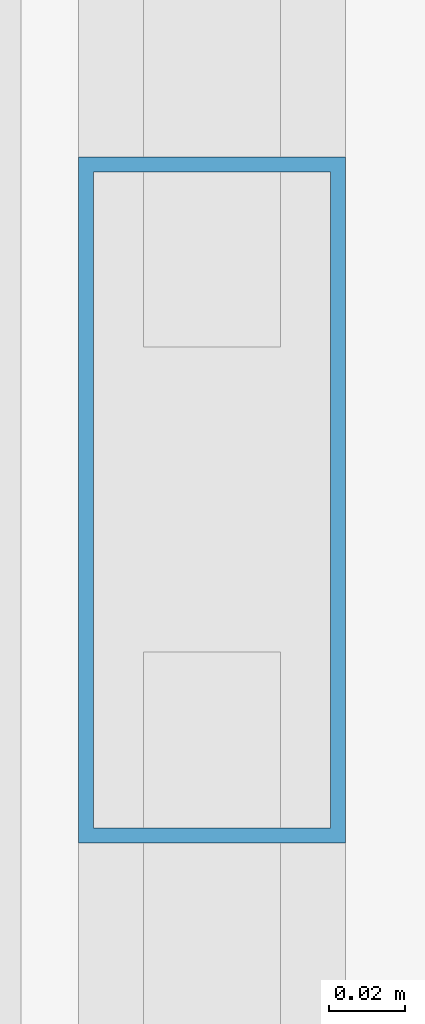
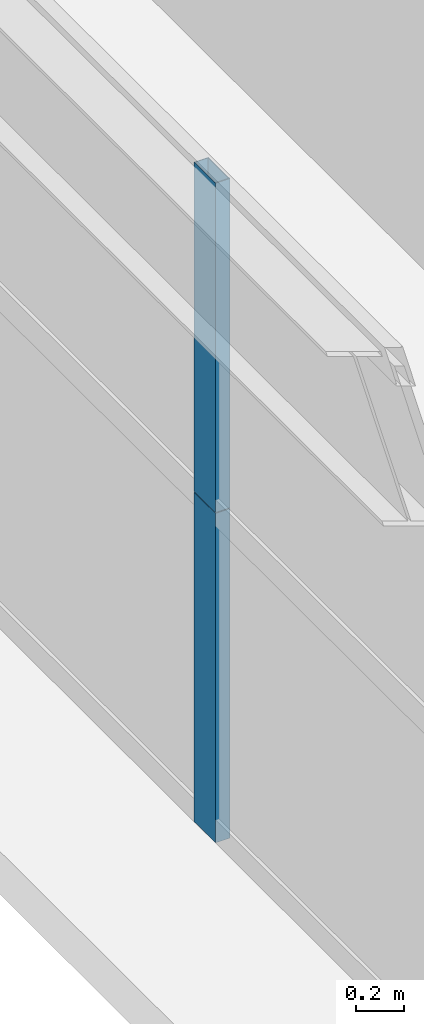
# One storey, part 23 of 45: 2 members, 1 element without a shape of its own.
"""IFC4 building model written with IfcOpenShell, lengths in metres."""

from ifc_helpers import new_model, si_unit, direction, frame, origin, origin_2d, place, context, subcontext, project, spatial, hollow_rectangle, extrude, source, transform, mapped, material, layer, layer_set, material_profile, profile_set, type_object, element, aggregate, save


model = new_model("IFC4")

# Units and contexts
model_context = context("Model", 3, precision=1e-05, world=origin(), true_north=direction((0.0, 1.0)))
body_context = subcontext(model_context, "Body", "Model", "MODEL_VIEW")
ifc_project = project(units=[si_unit("LENGTHUNIT", "METRE"), si_unit("AREAUNIT", "SQUARE_METRE"), si_unit("VOLUMEUNIT", "CUBIC_METRE"), si_unit("PLANEANGLEUNIT", "RADIAN"), si_unit("MASSUNIT", "GRAM", prefix="KILO"), si_unit("THERMODYNAMICTEMPERATUREUNIT", "KELVIN"), si_unit("POWERUNIT", "WATT")], contexts=[model_context])

# Site, building, storey
site_placement = place(None, origin())
site = spatial("IfcSite", under=ifc_project, at=site_placement, CompositionType="ELEMENT")
building_placement = place(site_placement, origin())
building = spatial("IfcBuilding", under=site, at=building_placement, Name="Yuzanri Waterfront Tower", CompositionType="ELEMENT")
storey_placement = place(building_placement, frame((0.0, 0.0, 34.199951171875)))
storey = spatial("IfcBuildingStorey", under=building, at=storey_placement, Name="L08", CompositionType="ELEMENT", Elevation=34.199951171875)

# Curtain wall, members
ifc_material_1 = material(Name="Anodized Architectural Bronze", Category="metal")
ifc_layer = layer(ifc_material_1, 0.159912109375)
ifc_layer_set = layer_set([ifc_layer], Name="Anodized Architectural Bronze")
curtain_wall_type = type_object("IfcCurtainWallType", Name="Anodized Bronze Hotel Lower-Tier Recessed Unitized Curtain Wall 8100", PredefinedType="NOTDEFINED", material=ifc_layer_set)
curtain_wall_placement = place(storey_placement, origin())
curtain_wall = element("IfcCurtainWall", 1, at=curtain_wall_placement, inside=storey, type_object=curtain_wall_type, Name="L08 Curtain Wall CW-L08-WR", PredefinedType="NOTDEFINED")
ifc_material_2 = material(Name="Anodized Architectural Bronze", Category="metal")
ifc_material_profile = material_profile(ifc_material_2, hollow_rectangle(XDim=0.070068359375, YDim=0.179931640625, WallThickness=0.00390625, at=origin_2d()), Name="CWM 70x180")
ifc_profile_set = profile_set([ifc_material_profile], Name="Anodized Architectural Bronze")
member_type = type_object("IfcMemberType", Name="Anodized Bronze Standard Curtain-Wall Mullion 70x180", PredefinedType="MULLION", material=ifc_profile_set)
shared_shape = source(origin(), body_context, "Body", "SweptSolid", [
    extrude(hollow_rectangle(XDim=0.070068359375, YDim=0.179931640625, WallThickness=0.00390625, at=origin_2d()), origin(), (0.0, 0.0, 1.0), 1.68798828125),
])
member_1_placement = place(storey_placement, frame((12.050048828125, 34.89990234375, 0.0), z_axis=(0.0, 0.0, 1.0), x_axis=(1.0, 0.0, 0.0)))
member_1 = element("IfcMember", 2, at=member_1_placement, type_object=member_type, Name="CW-L08-WR Lower Mullion 01", PredefinedType="MULLION", context=body_context, shape_type="MappedRepresentation", body=[
    mapped(shared_shape, transform((0.0, 0.0, 0.0), scale=1.0)),
])
member_2_placement = place(storey_placement, frame((12.050048828125, 34.89990234375, 1.692138671875), z_axis=(0.0, 0.0, 1.0), x_axis=(1.0, 0.0, 0.0)))
member_2 = element("IfcMember", 3, at=member_2_placement, type_object=member_type, Name="CW-L08-WR Upper Mullion 01", PredefinedType="MULLION", context=body_context, shape_type="MappedRepresentation", body=[
    mapped(shared_shape, transform((0.0, 0.0, 0.0), scale=1.0)),
])
aggregate(curtain_wall, [member_1, member_2])

save(model, "model.ifc")
